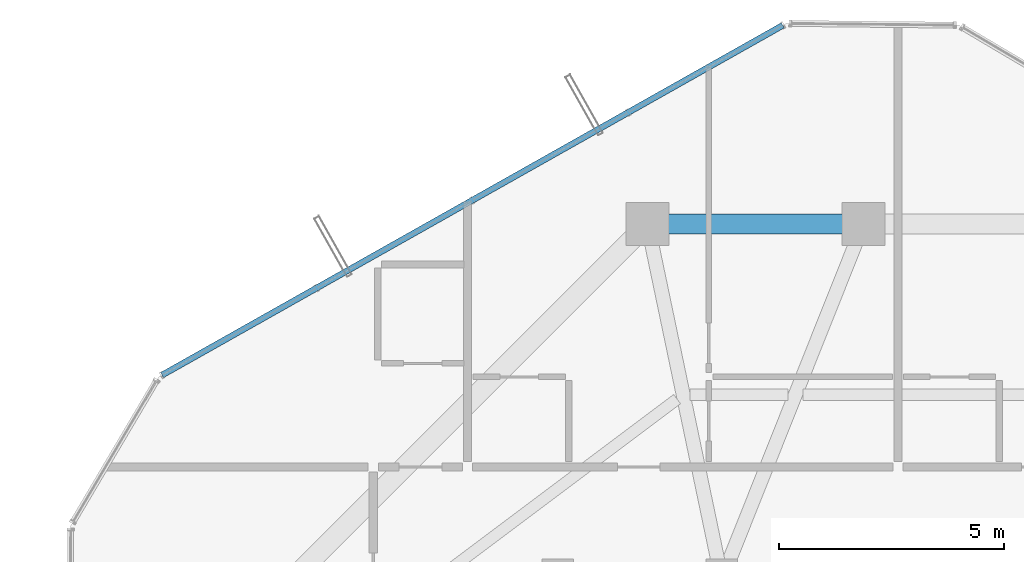
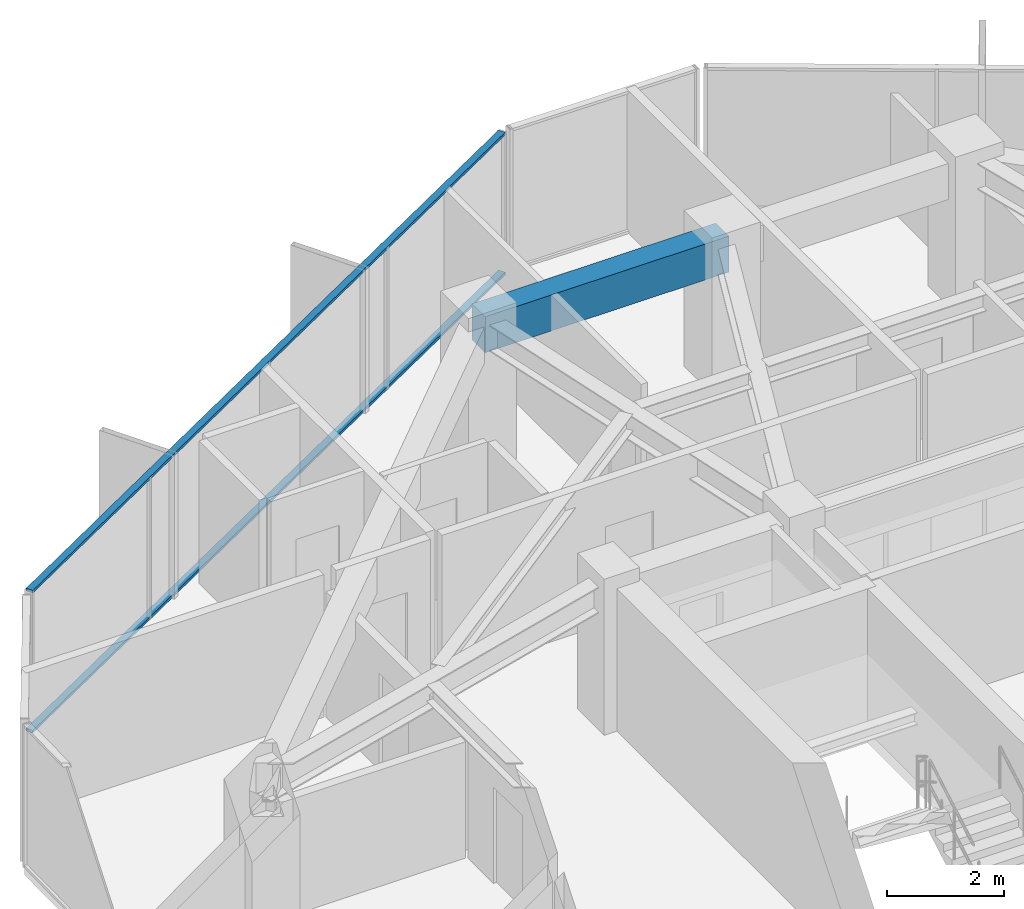
# One storey, part 20 of 30: 2 members, 1 beam, 1 element without a shape of its own.
"""IFC4 building model written with IfcOpenShell, lengths in metres."""

import ifcopenshell
import ifcopenshell.guid

model = None  # the IFC model being written
_history = None  # IfcOwnerHistory: only IFC2X3 demands one
_inside = {}  # id of a spatial element -> (the spatial element, [elements in it])
_under = {}  # id of a project, library or spatial element -> (it, [spatial elements below it])
_declared = {}  # id of a project -> (the project, [libraries it declares])
_typed = {}  # id of a type object -> (the type object, [elements of that type])
_made_of = {}  # id of a material, layer set ... -> (it, [elements and type objects made of it])


def new_model(schema):
    """Start an empty IFC model of exactly this schema.

    Asked for "IFC4X3", IfcOpenShell would pick the latest addendum, in which some entities
    have other attributes; the version numbers below select the first issue.
    IFC2X3 requires an IfcOwnerHistory on every rooted entity: one is made here for all.
    """
    global model, _history
    if schema == "IFC4X3":
        model = ifcopenshell.file(schema_version=(4, 3, 0, 0))
    else:
        model = ifcopenshell.file(schema=schema)
    _inside.clear()
    _under.clear()
    _declared.clear()
    _typed.clear()
    _made_of.clear()
    _history = None
    if model.schema == "IFC2X3":
        org = make("IfcOrganization", Name="unknown")
        user = make(
            "IfcPersonAndOrganization",
            ThePerson=make("IfcPerson", FamilyName="unknown"),
            TheOrganization=org,
        )
        app = make(
            "IfcApplication",
            ApplicationDeveloper=org,
            Version="unknown",
            ApplicationFullName="unknown",
            ApplicationIdentifier="unknown",
        )
        _history = make(
            "IfcOwnerHistory",
            OwningUser=user,
            OwningApplication=app,
            ChangeAction="ADDED",
            CreationDate=0,
        )
    return model


def make(cls, **values):
    """One entity of the class cls with the attributes given. An attribute that is None is left unset."""
    return model.create_entity(
        cls, **{name: value for name, value in values.items() if value is not None}
    )


def rooted(cls, **values):
    """An entity with a GlobalId (a new one), such as an element, a storey or a relation."""
    return make(cls, GlobalId=ifcopenshell.guid.new(), OwnerHistory=_history, **values)


def si_unit(unit_type, name, prefix=None):
    """IfcSIUnit, for example si_unit("LENGTHUNIT", "METRE", prefix="MILLI")."""
    return make("IfcSIUnit", UnitType=unit_type, Prefix=prefix, Name=name)


def assignment(units):
    """IfcUnitAssignment: the units of a project."""
    return None if units is None else make("IfcUnitAssignment", Units=units)


def point(xyz):
    """IfcCartesianPoint."""
    return None if xyz is None else make("IfcCartesianPoint", Coordinates=xyz)


def direction(xyz):
    """IfcDirection."""
    return None if xyz is None else make("IfcDirection", DirectionRatios=xyz)


def frame(location, z_axis=None, x_axis=None):
    """IfcAxis2Placement3D, a coordinate frame: its origin and axes. An axis left out is left unset."""
    return make(
        "IfcAxis2Placement3D",
        Location=point(location),
        Axis=direction(z_axis),
        RefDirection=direction(x_axis),
    )


def frame_2d(location, x_axis=None):
    """IfcAxis2Placement2D, a coordinate frame in the plane: its origin and x axis."""
    return make(
        "IfcAxis2Placement2D", Location=point(location), RefDirection=direction(x_axis)
    )


def origin():
    """The frame at (0, 0, 0) with its axes left unset."""
    return frame((0.0, 0.0, 0.0))


def origin_2d():
    """The frame at (0, 0) in the plane with its x axis left unset."""
    return frame_2d((0.0, 0.0))


def place(relative_to, where):
    """IfcLocalPlacement: puts the frame where relative to a parent placement (None: the world)."""
    return make(
        "IfcLocalPlacement", PlacementRelTo=relative_to, RelativePlacement=where
    )


def context(
    kind, dimensions, precision=None, world=None, true_north=None, identifier=None
):
    """IfcGeometricRepresentationContext, for example the 3D "Model" context."""
    return make(
        "IfcGeometricRepresentationContext",
        ContextIdentifier=identifier,
        ContextType=kind,
        CoordinateSpaceDimension=dimensions,
        Precision=precision,
        WorldCoordinateSystem=world,
        TrueNorth=true_north,
    )


def subcontext(parent, identifier, kind, view, scale=None):
    """IfcGeometricRepresentationSubContext, for example "Body" below "Model"."""
    return make(
        "IfcGeometricRepresentationSubContext",
        ContextIdentifier=identifier,
        ContextType=kind,
        ParentContext=parent,
        TargetScale=scale,
        TargetView=view,
    )


def project(units=None, contexts=None):
    """IfcProject with its units and contexts."""
    return rooted(
        "IfcProject",
        Name="project",
        RepresentationContexts=contexts,
        UnitsInContext=assignment(units),
    )


def spatial(cls, under=None, at=None, **own):
    """A site, building, storey or space (cls), placed at a placement, below another one or the project."""
    s = rooted(cls, ObjectPlacement=at, **own)
    if under is not None:
        _under.setdefault(under.id(), (under, []))[1].append(s)
    return s


def profile(cls, at=None, kind="AREA", **sizes):
    """A parametric profile (cls). Its sizes go by their IFC names, for example OverallWidth=200.0."""
    return make(cls, ProfileType=kind, Position=at, **sizes)


def rectangle(**sizes):
    """IfcRectangleProfileDef."""
    return profile("IfcRectangleProfileDef", **sizes)


def hollow_rectangle(**sizes):
    """IfcRectangleHollowProfileDef."""
    return profile("IfcRectangleHollowProfileDef", **sizes)


def extrude(swept, where, along, depth):
    """IfcExtrudedAreaSolid: the profile swept, set in the frame where, extruded along a direction by depth."""
    return make(
        "IfcExtrudedAreaSolid",
        SweptArea=swept,
        Position=where,
        ExtrudedDirection=direction(along),
        Depth=depth,
    )


def shape(context_of_items, identifier, shape_type, items):
    """IfcShapeRepresentation: the items that make up one representation, for example the "Body"."""
    return make(
        "IfcShapeRepresentation",
        ContextOfItems=context_of_items,
        RepresentationIdentifier=identifier,
        RepresentationType=shape_type,
        Items=items,
    )


def source(mapping_origin, context_of_items, identifier, shape_type, items):
    """IfcRepresentationMap: a shape defined once, which mapped items show again and again."""
    return make(
        "IfcRepresentationMap",
        MappingOrigin=mapping_origin,
        MappedRepresentation=shape(context_of_items, identifier, shape_type, items),
    )


def transform(
    local_origin,
    x_axis=None,
    y_axis=None,
    z_axis=None,
    scale=None,
    scale2=None,
    scale3=None,
    uniform=True,
):
    """IfcCartesianTransformationOperator3D, or its non-uniform kind. x_axis, y_axis, z_axis: its Axis1, 2, 3."""
    if uniform:
        return make(
            "IfcCartesianTransformationOperator3D",
            Axis1=direction(x_axis),
            Axis2=direction(y_axis),
            LocalOrigin=point(local_origin),
            Scale=scale,
            Axis3=direction(z_axis),
        )
    return make(
        "IfcCartesianTransformationOperator3DnonUniform",
        Axis1=direction(x_axis),
        Axis2=direction(y_axis),
        LocalOrigin=point(local_origin),
        Scale=scale,
        Axis3=direction(z_axis),
        Scale2=scale2,
        Scale3=scale3,
    )


def mapped(mapping_source, mapping_target):
    """IfcMappedItem: shows the shape of a source again, moved by a transform."""
    return make(
        "IfcMappedItem", MappingSource=mapping_source, MappingTarget=mapping_target
    )


def material(Name=None, Category=None):
    """IfcMaterial."""
    return make("IfcMaterial", Name=Name, Category=Category)


def layer(
    of_material, thickness, ventilated=None, Name=None, Category=None, Priority=None
):
    """IfcMaterialLayer: one layer of a wall or slab, of a material (None: an air gap)."""
    return make(
        "IfcMaterialLayer",
        Material=of_material,
        LayerThickness=thickness,
        IsVentilated=ventilated,
        Name=Name,
        Category=Category,
        Priority=Priority,
    )


def layer_set(layers, Name=None):
    """IfcMaterialLayerSet."""
    return make("IfcMaterialLayerSet", MaterialLayers=layers, LayerSetName=Name)


def material_profile(
    of_material, cross_section, Name=None, Category=None, Priority=None
):
    """IfcMaterialProfile: a cross section and its material."""
    return make(
        "IfcMaterialProfile",
        Name=Name,
        Material=of_material,
        Profile=cross_section,
        Priority=Priority,
        Category=Category,
    )


def profile_set(profiles, Name=None, composite=None):
    """IfcMaterialProfileSet."""
    return make(
        "IfcMaterialProfileSet",
        Name=Name,
        MaterialProfiles=profiles,
        CompositeProfile=composite,
    )


def made_of(thing, what):
    """Note that an element or type object is made of a material, layer set ...; save() writes the relation."""
    if what is not None:
        _made_of.setdefault(what.id(), (what, []))[1].append(thing)
    return thing


def type_object(cls, material=None, **own):
    """A type object (cls), such as IfcWallType, which elements share."""
    return made_of(rooted(cls, **own), material)


def element(
    cls,
    number,
    at=None,
    inside=None,
    cuts=None,
    type_object=None,
    material=None,
    context=None,
    identifier="Body",
    shape_type=None,
    held_by="IfcProductDefinitionShape",
    body=None,
    shapes=None,
    **own,
):
    """One element of the class cls, such as IfcWall. Its Tag is "e" and its number.

    at: its placement. inside: the storey or other place that contains it. cuts: it is an
    opening in that element (IfcRelVoidsElement). A single representation is given by context,
    identifier, shape_type and body (its items); several are given by shapes. held_by: the class
    of the entity that holds the representations. save() writes the other relations.
    """
    e = rooted(cls, Tag="e%d" % number, ObjectPlacement=at, **own)
    if body is not None:
        shapes = [shape(context, identifier, shape_type, body)]
    if shapes is not None:
        e.Representation = make(held_by, Representations=shapes)
    if inside is not None:
        _inside.setdefault(inside.id(), (inside, []))[1].append(e)
    if cuts is not None:
        rooted(
            "IfcRelVoidsElement", RelatingBuildingElement=cuts, RelatedOpeningElement=e
        )
    if type_object is not None:
        _typed.setdefault(type_object.id(), (type_object, []))[1].append(e)
    return made_of(e, material)


def aggregate(whole, parts):
    """IfcRelAggregates: a whole, such as a stair, and the parts it consists of."""
    return rooted("IfcRelAggregates", RelatingObject=whole, RelatedObjects=parts)


def save(model, path):
    """Write the relations noted so far, then the file.

    IfcRelAggregates (storeys below a building ...), IfcRelContainedInSpatialStructure (elements
    in a storey), IfcRelDefinesByType, IfcRelAssociatesMaterial and IfcRelDeclares: one each for
    every whole, place, type object, material and project.
    """
    for whole, parts in _under.values():
        aggregate(whole, parts)
    for where, things in _inside.values():
        rooted(
            "IfcRelContainedInSpatialStructure",
            RelatedElements=things,
            RelatingStructure=where,
        )
    for kind, things in _typed.values():
        rooted("IfcRelDefinesByType", RelatedObjects=things, RelatingType=kind)
    for what, things in _made_of.values():
        rooted("IfcRelAssociatesMaterial", RelatedObjects=things, RelatingMaterial=what)
    for by, libraries in _declared.values():
        rooted("IfcRelDeclares", RelatingContext=by, RelatedDefinitions=libraries)
    model.write(path)


model = new_model("IFC4")

# Units and contexts
model_context = context("Model", 3, precision=1e-05, world=origin(), true_north=direction((0.0, 1.0)))
body_context = subcontext(model_context, "Body", "Model", "MODEL_VIEW")
ifc_project = project(units=[si_unit("LENGTHUNIT", "METRE"), si_unit("AREAUNIT", "SQUARE_METRE"), si_unit("VOLUMEUNIT", "CUBIC_METRE"), si_unit("PLANEANGLEUNIT", "RADIAN"), si_unit("MASSUNIT", "GRAM", prefix="KILO")], contexts=[model_context])

# Site, building, storey
site_placement = place(None, origin())
site = spatial("IfcSite", under=ifc_project, at=site_placement, CompositionType="ELEMENT")
building_placement = place(site_placement, origin())
building = spatial("IfcBuilding", under=site, at=building_placement, Name="Veraguas Prism Commons", CompositionType="ELEMENT")
storey_placement = place(building_placement, frame((0.0, 0.0, 208.10009765625)))
storey = spatial("IfcBuildingStorey", under=building, at=storey_placement, Name="L59", CompositionType="ELEMENT", Elevation=208.10009765625)

# Beam
ifc_material_1 = material(Name="Concrete C50/60", Category="concrete")
ifc_material_profile_1 = material_profile(ifc_material_1, rectangle(XDim=0.449951171875, YDim=0.75, at=origin_2d()), Name="RC450X750")
ifc_profile_set_1 = profile_set([ifc_material_profile_1], Name="Concrete C50/60")
beam_type = type_object("IfcBeamType", Name="Perimeter Spandrel Upper RC 450x750", PredefinedType="SPANDREL", material=ifc_profile_set_1)
beam_placement = place(storey_placement, frame((24.0, 38.89990234375, 2.594970703125), z_axis=(-1.0, 0.0, 0.0), x_axis=(0.0, -1.0, 0.0)))
element("IfcBeam", 1, at=beam_placement, inside=storey, type_object=beam_type, Name="Perimeter Spandrel Beam L59-SP05", PredefinedType="SPANDREL", context=body_context, shape_type="SweptSolid", body=[
    extrude(rectangle(XDim=0.449951171875, YDim=0.75, at=origin_2d()), origin(), (0.0, 0.0, 1.0), 4.800048828125),
])

# Curtain wall, members
ifc_material_2 = material(Name="Anodised aluminium EN AW-6063 T6", Category="aluminium")
ifc_layer = layer(ifc_material_2, 0.14990234375, Name="Unitised Flush Curtain Wall Zone 3", Category="aluminium")
ifc_layer_set = layer_set([ifc_layer], Name="Anodised aluminium EN AW-6063 T6")
curtain_wall_type = type_object("IfcCurtainWallType", Name="Unitised Flush Curtain Wall Zone 3", PredefinedType="NOTDEFINED", material=ifc_layer_set)
curtain_wall_placement = place(storey_placement, origin())
curtain_wall = element("IfcCurtainWall", 2, at=curtain_wall_placement, inside=storey, type_object=curtain_wall_type, Name="Tower Facade Curtain Wall L59-F2", PredefinedType="NOTDEFINED")
ifc_material_profile_2 = material_profile(ifc_material_2, hollow_rectangle(XDim=0.054931640625, YDim=0.135009765625, WallThickness=0.0029296875, at=origin_2d()), Name="AL55X135X3")
ifc_profile_set_2 = profile_set([ifc_material_profile_2], Name="Anodised aluminium EN AW-6063 T6")
member_type = type_object("IfcMemberType", Name="Curtain Wall Transom Standard AL 55x135x3", PredefinedType="USERDEFINED", material=ifc_profile_set_2)
shared_shape = source(origin(), body_context, "Body", "SweptSolid", [
    extrude(hollow_rectangle(XDim=0.054931640625, YDim=0.135009765625, WallThickness=0.0029296875, at=origin_2d()), origin(), (0.0, 0.0, 1.0), 15.84228515625),
])
member_1_placement = place(storey_placement, frame((22.20703125, 43.31787109375, 0.02734375), z_axis=(-0.871211889184, -0.490907164487, 0.0), x_axis=(0.0, 0.0, 1.0)))
member_1 = element("IfcMember", 3, at=member_1_placement, type_object=member_type, Name="CW-Z3 Transom 1", ObjectType="TRANSOM", PredefinedType="USERDEFINED", context=body_context, shape_type="MappedRepresentation", body=[
    mapped(shared_shape, transform((0.0, 0.0, 0.0), scale=1.0)),
])
member_2_placement = place(storey_placement, frame((22.20703125, 43.31787109375, 2.9423828125), z_axis=(-0.871211889184, -0.490907164487, 0.0), x_axis=(0.0, 0.0, 1.0)))
member_2 = element("IfcMember", 4, at=member_2_placement, type_object=member_type, Name="CW-Z3 Transom 2", ObjectType="TRANSOM", PredefinedType="USERDEFINED", context=body_context, shape_type="MappedRepresentation", body=[
    mapped(shared_shape, transform((0.0, 0.0, 0.0), scale=1.0)),
])
aggregate(curtain_wall, [member_1, member_2])

save(model, "model.ifc")
